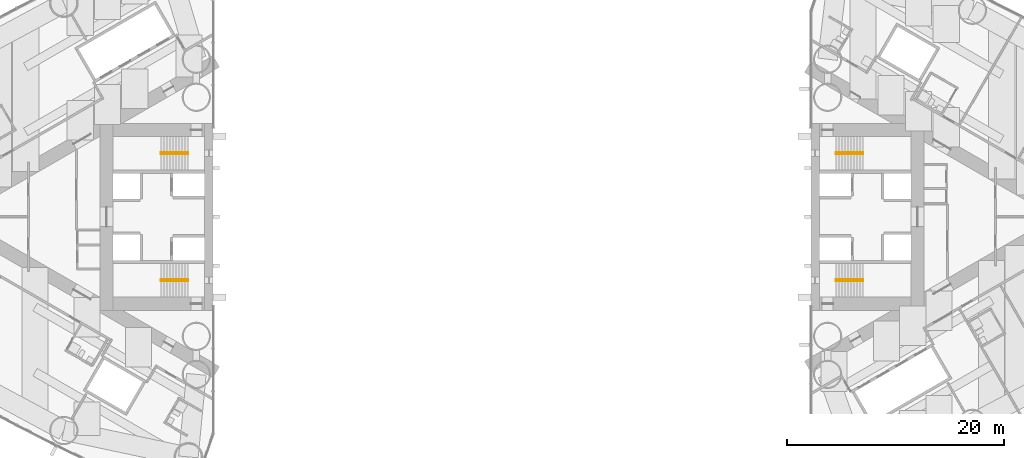
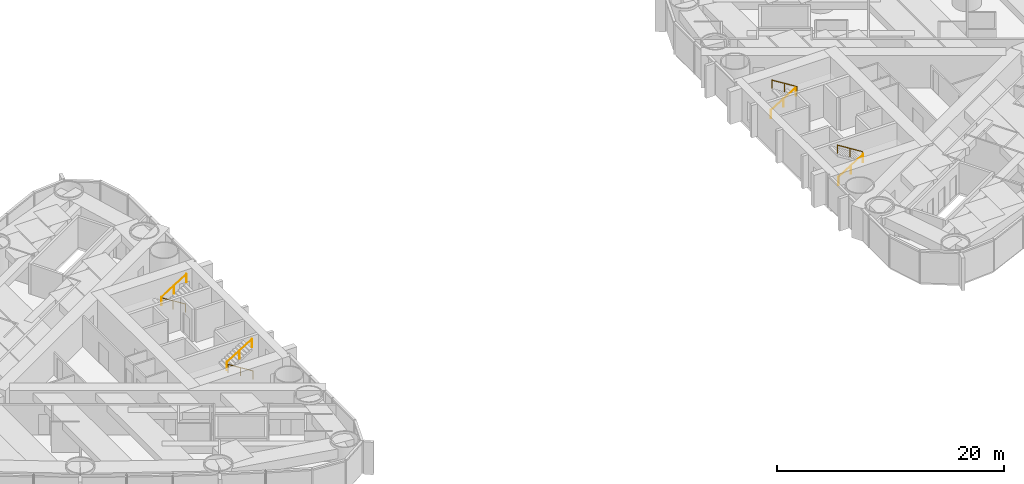
# One storey, part 17 of 18: 8 railings.
"""IFC4 building model written with IfcOpenShell, lengths in metres."""

import ifcopenshell
import ifcopenshell.guid

model = None  # the IFC model being written
_history = None  # IfcOwnerHistory: only IFC2X3 demands one
_inside = {}  # id of a spatial element -> (the spatial element, [elements in it])
_under = {}  # id of a project, library or spatial element -> (it, [spatial elements below it])
_declared = {}  # id of a project -> (the project, [libraries it declares])
_typed = {}  # id of a type object -> (the type object, [elements of that type])
_made_of = {}  # id of a material, layer set ... -> (it, [elements and type objects made of it])


def new_model(schema):
    """Start an empty IFC model of exactly this schema.

    Asked for "IFC4X3", IfcOpenShell would pick the latest addendum, in which some entities
    have other attributes; the version numbers below select the first issue.
    IFC2X3 requires an IfcOwnerHistory on every rooted entity: one is made here for all.
    """
    global model, _history
    if schema == "IFC4X3":
        model = ifcopenshell.file(schema_version=(4, 3, 0, 0))
    else:
        model = ifcopenshell.file(schema=schema)
    _inside.clear()
    _under.clear()
    _declared.clear()
    _typed.clear()
    _made_of.clear()
    _history = None
    if model.schema == "IFC2X3":
        org = make("IfcOrganization", Name="unknown")
        user = make(
            "IfcPersonAndOrganization",
            ThePerson=make("IfcPerson", FamilyName="unknown"),
            TheOrganization=org,
        )
        app = make(
            "IfcApplication",
            ApplicationDeveloper=org,
            Version="unknown",
            ApplicationFullName="unknown",
            ApplicationIdentifier="unknown",
        )
        _history = make(
            "IfcOwnerHistory",
            OwningUser=user,
            OwningApplication=app,
            ChangeAction="ADDED",
            CreationDate=0,
        )
    return model


def make(cls, **values):
    """One entity of the class cls with the attributes given. An attribute that is None is left unset."""
    return model.create_entity(
        cls, **{name: value for name, value in values.items() if value is not None}
    )


def rooted(cls, **values):
    """An entity with a GlobalId (a new one), such as an element, a storey or a relation."""
    return make(cls, GlobalId=ifcopenshell.guid.new(), OwnerHistory=_history, **values)


def si_unit(unit_type, name, prefix=None):
    """IfcSIUnit, for example si_unit("LENGTHUNIT", "METRE", prefix="MILLI")."""
    return make("IfcSIUnit", UnitType=unit_type, Prefix=prefix, Name=name)


def assignment(units):
    """IfcUnitAssignment: the units of a project."""
    return None if units is None else make("IfcUnitAssignment", Units=units)


def point(xyz):
    """IfcCartesianPoint."""
    return None if xyz is None else make("IfcCartesianPoint", Coordinates=xyz)


def direction(xyz):
    """IfcDirection."""
    return None if xyz is None else make("IfcDirection", DirectionRatios=xyz)


def frame(location, z_axis=None, x_axis=None):
    """IfcAxis2Placement3D, a coordinate frame: its origin and axes. An axis left out is left unset."""
    return make(
        "IfcAxis2Placement3D",
        Location=point(location),
        Axis=direction(z_axis),
        RefDirection=direction(x_axis),
    )


def frame_2d(location, x_axis=None):
    """IfcAxis2Placement2D, a coordinate frame in the plane: its origin and x axis."""
    return make(
        "IfcAxis2Placement2D", Location=point(location), RefDirection=direction(x_axis)
    )


def origin():
    """The frame at (0, 0, 0) with its axes left unset."""
    return frame((0.0, 0.0, 0.0))


def origin_2d():
    """The frame at (0, 0) in the plane with its x axis left unset."""
    return frame_2d((0.0, 0.0))


def place(relative_to, where):
    """IfcLocalPlacement: puts the frame where relative to a parent placement (None: the world)."""
    return make(
        "IfcLocalPlacement", PlacementRelTo=relative_to, RelativePlacement=where
    )


def context(
    kind, dimensions, precision=None, world=None, true_north=None, identifier=None
):
    """IfcGeometricRepresentationContext, for example the 3D "Model" context."""
    return make(
        "IfcGeometricRepresentationContext",
        ContextIdentifier=identifier,
        ContextType=kind,
        CoordinateSpaceDimension=dimensions,
        Precision=precision,
        WorldCoordinateSystem=world,
        TrueNorth=true_north,
    )


def subcontext(parent, identifier, kind, view, scale=None):
    """IfcGeometricRepresentationSubContext, for example "Body" below "Model"."""
    return make(
        "IfcGeometricRepresentationSubContext",
        ContextIdentifier=identifier,
        ContextType=kind,
        ParentContext=parent,
        TargetScale=scale,
        TargetView=view,
    )


def project(units=None, contexts=None):
    """IfcProject with its units and contexts."""
    return rooted(
        "IfcProject",
        Name="project",
        RepresentationContexts=contexts,
        UnitsInContext=assignment(units),
    )


def spatial(cls, under=None, at=None, **own):
    """A site, building, storey or space (cls), placed at a placement, below another one or the project."""
    s = rooted(cls, ObjectPlacement=at, **own)
    if under is not None:
        _under.setdefault(under.id(), (under, []))[1].append(s)
    return s


def profile(cls, at=None, kind="AREA", **sizes):
    """A parametric profile (cls). Its sizes go by their IFC names, for example OverallWidth=200.0."""
    return make(cls, ProfileType=kind, Position=at, **sizes)


def circle(**sizes):
    """IfcCircleProfileDef."""
    return profile("IfcCircleProfileDef", **sizes)


def extrude(swept, where, along, depth):
    """IfcExtrudedAreaSolid: the profile swept, set in the frame where, extruded along a direction by depth."""
    return make(
        "IfcExtrudedAreaSolid",
        SweptArea=swept,
        Position=where,
        ExtrudedDirection=direction(along),
        Depth=depth,
    )


def shape(context_of_items, identifier, shape_type, items):
    """IfcShapeRepresentation: the items that make up one representation, for example the "Body"."""
    return make(
        "IfcShapeRepresentation",
        ContextOfItems=context_of_items,
        RepresentationIdentifier=identifier,
        RepresentationType=shape_type,
        Items=items,
    )


def material(Name=None, Category=None):
    """IfcMaterial."""
    return make("IfcMaterial", Name=Name, Category=Category)


def made_of(thing, what):
    """Note that an element or type object is made of a material, layer set ...; save() writes the relation."""
    if what is not None:
        _made_of.setdefault(what.id(), (what, []))[1].append(thing)
    return thing


def type_object(cls, material=None, **own):
    """A type object (cls), such as IfcWallType, which elements share."""
    return made_of(rooted(cls, **own), material)


def element(
    cls,
    number,
    at=None,
    inside=None,
    cuts=None,
    type_object=None,
    material=None,
    context=None,
    identifier="Body",
    shape_type=None,
    held_by="IfcProductDefinitionShape",
    body=None,
    shapes=None,
    **own,
):
    """One element of the class cls, such as IfcWall. Its Tag is "e" and its number.

    at: its placement. inside: the storey or other place that contains it. cuts: it is an
    opening in that element (IfcRelVoidsElement). A single representation is given by context,
    identifier, shape_type and body (its items); several are given by shapes. held_by: the class
    of the entity that holds the representations. save() writes the other relations.
    """
    e = rooted(cls, Tag="e%d" % number, ObjectPlacement=at, **own)
    if body is not None:
        shapes = [shape(context, identifier, shape_type, body)]
    if shapes is not None:
        e.Representation = make(held_by, Representations=shapes)
    if inside is not None:
        _inside.setdefault(inside.id(), (inside, []))[1].append(e)
    if cuts is not None:
        rooted(
            "IfcRelVoidsElement", RelatingBuildingElement=cuts, RelatedOpeningElement=e
        )
    if type_object is not None:
        _typed.setdefault(type_object.id(), (type_object, []))[1].append(e)
    return made_of(e, material)


def aggregate(whole, parts):
    """IfcRelAggregates: a whole, such as a stair, and the parts it consists of."""
    return rooted("IfcRelAggregates", RelatingObject=whole, RelatedObjects=parts)


def save(model, path):
    """Write the relations noted so far, then the file.

    IfcRelAggregates (storeys below a building ...), IfcRelContainedInSpatialStructure (elements
    in a storey), IfcRelDefinesByType, IfcRelAssociatesMaterial and IfcRelDeclares: one each for
    every whole, place, type object, material and project.
    """
    for whole, parts in _under.values():
        aggregate(whole, parts)
    for where, things in _inside.values():
        rooted(
            "IfcRelContainedInSpatialStructure",
            RelatedElements=things,
            RelatingStructure=where,
        )
    for kind, things in _typed.values():
        rooted("IfcRelDefinesByType", RelatedObjects=things, RelatingType=kind)
    for what, things in _made_of.values():
        rooted("IfcRelAssociatesMaterial", RelatedObjects=things, RelatingMaterial=what)
    for by, libraries in _declared.values():
        rooted("IfcRelDeclares", RelatingContext=by, RelatedDefinitions=libraries)
    model.write(path)


model = new_model("IFC4")

# Units and contexts
model_context = context("Model", 3, precision=1e-05, world=origin(), true_north=direction((0.0, 1.0)))
body_context = subcontext(model_context, "Body", "Model", "MODEL_VIEW")
ifc_project = project(units=[si_unit("LENGTHUNIT", "METRE"), si_unit("AREAUNIT", "SQUARE_METRE"), si_unit("VOLUMEUNIT", "CUBIC_METRE"), si_unit("PLANEANGLEUNIT", "RADIAN"), si_unit("MASSUNIT", "GRAM", prefix="KILO")], contexts=[model_context])

# Site, building, storey
site_placement = place(None, origin())
site = spatial("IfcSite", under=ifc_project, at=site_placement, CompositionType="ELEMENT")
building_placement = place(site_placement, origin())
building = spatial("IfcBuilding", under=site, at=building_placement, Name="Lancet Gate Hotel", CompositionType="ELEMENT")
storey_placement = place(building_placement, frame((0.0, 0.0, 94.10009765625)))
storey = spatial("IfcBuildingStorey", under=building, at=storey_placement, Name="L24", CompositionType="ELEMENT", Elevation=94.10009765625)

# Railings
ifc_material = material(Name="Stainless steel handrail", Category="steel")
railing_type = type_object("IfcRailingType", Name="Stair handrail 900", PredefinedType="HANDRAIL", material=ifc_material)
railing_1_placement = place(storey_placement, frame((-29.800048828125, 5.929931640625, 0.1748046875)))
element("IfcRailing", 1, at=railing_1_placement, inside=storey, type_object=railing_type, Name="ST1 handrail flight 1 L24", PredefinedType="HANDRAIL", context=body_context, shape_type="SweptSolid", body=[
    extrude(circle(Radius=0.02392578125, at=origin_2d()), frame((0.0, 0.0, 0.8759765625), z_axis=(-0.847970611238, 0.0, 0.530043245855), x_axis=(0.0, -1.0, 0.0)), (0.0, 0.0, 1.0), 2.971923828125),
    extrude(circle(Radius=0.02099609375, at=origin_2d()), origin(), (0.0, 0.0, 1.0), 0.851806640625),
    extrude(circle(Radius=0.02099609375, at=origin_2d()), frame((-1.260009765625, 0.0, 0.78759765625)), (0.0, 0.0, 1.0), 0.851806640625),
    extrude(circle(Radius=0.02099609375, at=origin_2d()), frame((-2.52001953125, 0.0, 1.5751953125)), (0.0, 0.0, 1.0), 0.851806640625),
])
railing_2_placement = place(storey_placement, frame((-32.320068359375, 5.77001953125, 1.9248046875)))
element("IfcRailing", 2, at=railing_2_placement, inside=storey, type_object=railing_type, Name="ST1 handrail flight 2 L24", PredefinedType="HANDRAIL", context=body_context, shape_type="SweptSolid", body=[
    extrude(circle(Radius=0.02392578125, at=origin_2d()), frame((0.0, 0.0, 0.8759765625), z_axis=(0.847970611238, 0.0, 0.530043245855), x_axis=(0.0, 1.0, 0.0)), (0.0, 0.0, 1.0), 2.971923828125),
    extrude(circle(Radius=0.02099609375, at=origin_2d()), origin(), (0.0, 0.0, 1.0), 0.851806640625),
    extrude(circle(Radius=0.02099609375, at=origin_2d()), frame((1.260009765625, 0.0, 0.78759765625)), (0.0, 0.0, 1.0), 0.851806640625),
    extrude(circle(Radius=0.02099609375, at=origin_2d()), frame((2.52001953125, 0.0, 1.5751953125)), (0.0, 0.0, 1.0), 0.851806640625),
])
railing_3_placement = place(storey_placement, frame((-29.800048828125, -5.929931640625, 0.1748046875)))
element("IfcRailing", 3, at=railing_3_placement, inside=storey, type_object=railing_type, Name="ST2 handrail flight 1 L24", PredefinedType="HANDRAIL", context=body_context, shape_type="SweptSolid", body=[
    extrude(circle(Radius=0.02392578125, at=origin_2d()), frame((0.0, 0.0, 0.8759765625), z_axis=(-0.847970611238, 0.0, 0.530043245855), x_axis=(0.0, -1.0, 0.0)), (0.0, 0.0, 1.0), 2.971923828125),
    extrude(circle(Radius=0.02099609375, at=origin_2d()), origin(), (0.0, 0.0, 1.0), 0.851806640625),
    extrude(circle(Radius=0.02099609375, at=origin_2d()), frame((-1.260009765625, 0.0, 0.78759765625)), (0.0, 0.0, 1.0), 0.851806640625),
    extrude(circle(Radius=0.02099609375, at=origin_2d()), frame((-2.52001953125, 0.0, 1.5751953125)), (0.0, 0.0, 1.0), 0.851806640625),
])
for number, where, name in (
    (4, (-32.320068359375, -5.77001953125, 1.9248046875), "ST2 handrail flight 2 L24"),
    (5, (29.800048828125, -5.929931640625, 0.1748046875), "ST3 handrail flight 1 L24"),
):
    element("IfcRailing", number, at=place(storey_placement, frame(where)), inside=storey, type_object=railing_type, Name=name, PredefinedType="HANDRAIL", context=body_context, shape_type="SweptSolid", body=[
        extrude(circle(Radius=0.02392578125, at=origin_2d()), frame((0.0, 0.0, 0.8759765625), z_axis=(0.847970611238, 0.0, 0.530043245855), x_axis=(0.0, 1.0, 0.0)), (0.0, 0.0, 1.0), 2.971923828125),
        extrude(circle(Radius=0.02099609375, at=origin_2d()), origin(), (0.0, 0.0, 1.0), 0.851806640625),
        extrude(circle(Radius=0.02099609375, at=origin_2d()), frame((1.260009765625, 0.0, 0.78759765625)), (0.0, 0.0, 1.0), 0.851806640625),
        extrude(circle(Radius=0.02099609375, at=origin_2d()), frame((2.52001953125, 0.0, 1.5751953125)), (0.0, 0.0, 1.0), 0.851806640625),
    ])
railing_4_placement = place(storey_placement, frame((32.320068359375, -5.77001953125, 1.9248046875)))
element("IfcRailing", 6, at=railing_4_placement, inside=storey, type_object=railing_type, Name="ST3 handrail flight 2 L24", PredefinedType="HANDRAIL", context=body_context, shape_type="SweptSolid", body=[
    extrude(circle(Radius=0.02392578125, at=origin_2d()), frame((0.0, 0.0, 0.8759765625), z_axis=(-0.847970611238, 0.0, 0.530043245855), x_axis=(0.0, -1.0, 0.0)), (0.0, 0.0, 1.0), 2.971923828125),
    extrude(circle(Radius=0.02099609375, at=origin_2d()), origin(), (0.0, 0.0, 1.0), 0.851806640625),
    extrude(circle(Radius=0.02099609375, at=origin_2d()), frame((-1.260009765625, 0.0, 0.78759765625)), (0.0, 0.0, 1.0), 0.851806640625),
    extrude(circle(Radius=0.02099609375, at=origin_2d()), frame((-2.52001953125, 0.0, 1.5751953125)), (0.0, 0.0, 1.0), 0.851806640625),
])
railing_5_placement = place(storey_placement, frame((29.800048828125, 5.929931640625, 0.1748046875)))
element("IfcRailing", 7, at=railing_5_placement, inside=storey, type_object=railing_type, Name="ST4 handrail flight 1 L24", PredefinedType="HANDRAIL", context=body_context, shape_type="SweptSolid", body=[
    extrude(circle(Radius=0.02392578125, at=origin_2d()), frame((0.0, 0.0, 0.8759765625), z_axis=(0.847970611238, 0.0, 0.530043245855), x_axis=(0.0, 1.0, 0.0)), (0.0, 0.0, 1.0), 2.971923828125),
    extrude(circle(Radius=0.02099609375, at=origin_2d()), origin(), (0.0, 0.0, 1.0), 0.851806640625),
    extrude(circle(Radius=0.02099609375, at=origin_2d()), frame((1.260009765625, 0.0, 0.78759765625)), (0.0, 0.0, 1.0), 0.851806640625),
    extrude(circle(Radius=0.02099609375, at=origin_2d()), frame((2.52001953125, 0.0, 1.5751953125)), (0.0, 0.0, 1.0), 0.851806640625),
])
railing_6_placement = place(storey_placement, frame((32.320068359375, 5.77001953125, 1.9248046875)))
element("IfcRailing", 8, at=railing_6_placement, inside=storey, type_object=railing_type, Name="ST4 handrail flight 2 L24", PredefinedType="HANDRAIL", context=body_context, shape_type="SweptSolid", body=[
    extrude(circle(Radius=0.02392578125, at=origin_2d()), frame((0.0, 0.0, 0.8759765625), z_axis=(-0.847970611238, 0.0, 0.530043245855), x_axis=(0.0, -1.0, 0.0)), (0.0, 0.0, 1.0), 2.971923828125),
    extrude(circle(Radius=0.02099609375, at=origin_2d()), origin(), (0.0, 0.0, 1.0), 0.851806640625),
    extrude(circle(Radius=0.02099609375, at=origin_2d()), frame((-1.260009765625, 0.0, 0.78759765625)), (0.0, 0.0, 1.0), 0.851806640625),
    extrude(circle(Radius=0.02099609375, at=origin_2d()), frame((-2.52001953125, 0.0, 1.5751953125)), (0.0, 0.0, 1.0), 0.851806640625),
])

save(model, "model.ifc")
